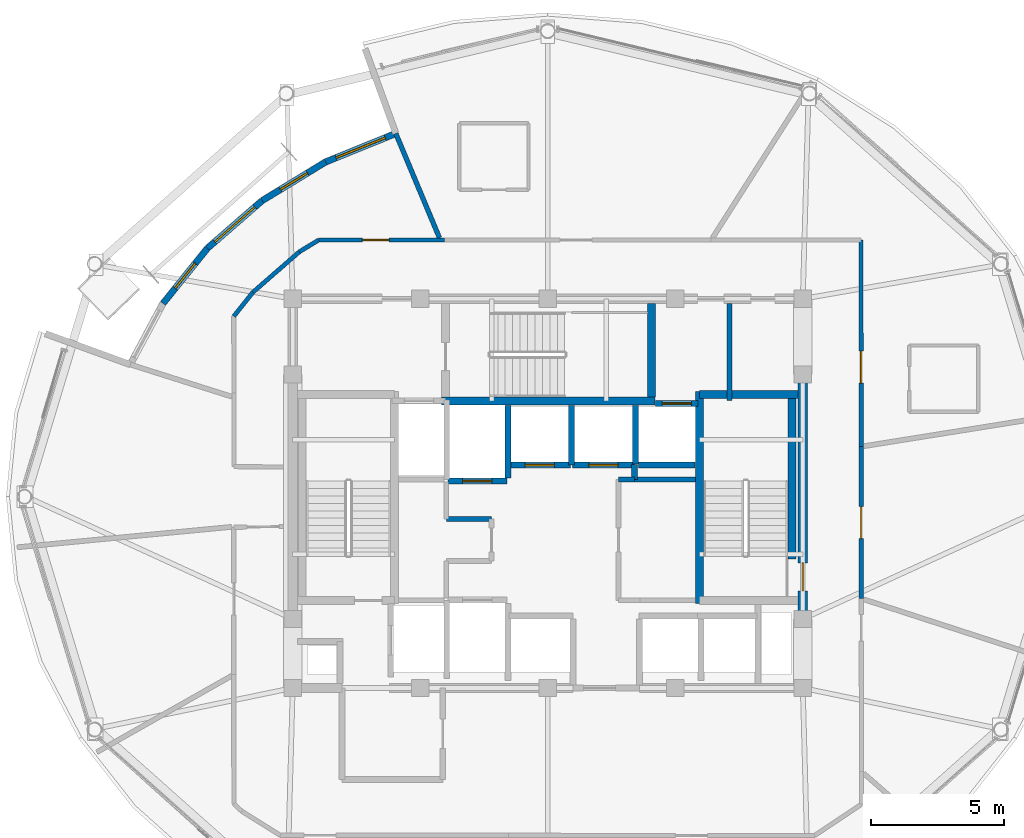
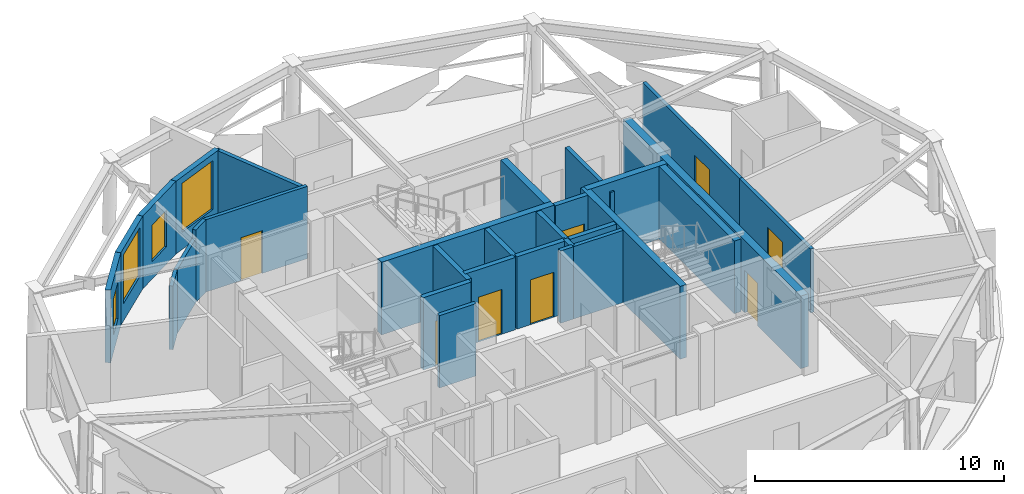
# One storey, part 9 of 14: 30 walls, 8 doors, 4 windows, 12 openings.
"""IFC4 building model written with IfcOpenShell, lengths in metres."""

import ifcopenshell
import ifcopenshell.guid

model = None  # the IFC model being written
_history = None  # IfcOwnerHistory: only IFC2X3 demands one
_inside = {}  # id of a spatial element -> (the spatial element, [elements in it])
_under = {}  # id of a project, library or spatial element -> (it, [spatial elements below it])
_declared = {}  # id of a project -> (the project, [libraries it declares])
_typed = {}  # id of a type object -> (the type object, [elements of that type])
_made_of = {}  # id of a material, layer set ... -> (it, [elements and type objects made of it])


def new_model(schema):
    """Start an empty IFC model of exactly this schema.

    Asked for "IFC4X3", IfcOpenShell would pick the latest addendum, in which some entities
    have other attributes; the version numbers below select the first issue.
    IFC2X3 requires an IfcOwnerHistory on every rooted entity: one is made here for all.
    """
    global model, _history
    if schema == "IFC4X3":
        model = ifcopenshell.file(schema_version=(4, 3, 0, 0))
    else:
        model = ifcopenshell.file(schema=schema)
    _inside.clear()
    _under.clear()
    _declared.clear()
    _typed.clear()
    _made_of.clear()
    _history = None
    if model.schema == "IFC2X3":
        org = make("IfcOrganization", Name="unknown")
        user = make(
            "IfcPersonAndOrganization",
            ThePerson=make("IfcPerson", FamilyName="unknown"),
            TheOrganization=org,
        )
        app = make(
            "IfcApplication",
            ApplicationDeveloper=org,
            Version="unknown",
            ApplicationFullName="unknown",
            ApplicationIdentifier="unknown",
        )
        _history = make(
            "IfcOwnerHistory",
            OwningUser=user,
            OwningApplication=app,
            ChangeAction="ADDED",
            CreationDate=0,
        )
    return model


def make(cls, **values):
    """One entity of the class cls with the attributes given. An attribute that is None is left unset."""
    return model.create_entity(
        cls, **{name: value for name, value in values.items() if value is not None}
    )


def rooted(cls, **values):
    """An entity with a GlobalId (a new one), such as an element, a storey or a relation."""
    return make(cls, GlobalId=ifcopenshell.guid.new(), OwnerHistory=_history, **values)


def si_unit(unit_type, name, prefix=None):
    """IfcSIUnit, for example si_unit("LENGTHUNIT", "METRE", prefix="MILLI")."""
    return make("IfcSIUnit", UnitType=unit_type, Prefix=prefix, Name=name)


def assignment(units):
    """IfcUnitAssignment: the units of a project."""
    return None if units is None else make("IfcUnitAssignment", Units=units)


def point(xyz):
    """IfcCartesianPoint."""
    return None if xyz is None else make("IfcCartesianPoint", Coordinates=xyz)


def direction(xyz):
    """IfcDirection."""
    return None if xyz is None else make("IfcDirection", DirectionRatios=xyz)


def frame(location, z_axis=None, x_axis=None):
    """IfcAxis2Placement3D, a coordinate frame: its origin and axes. An axis left out is left unset."""
    return make(
        "IfcAxis2Placement3D",
        Location=point(location),
        Axis=direction(z_axis),
        RefDirection=direction(x_axis),
    )


def frame_2d(location, x_axis=None):
    """IfcAxis2Placement2D, a coordinate frame in the plane: its origin and x axis."""
    return make(
        "IfcAxis2Placement2D", Location=point(location), RefDirection=direction(x_axis)
    )


def origin():
    """The frame at (0, 0, 0) with its axes left unset."""
    return frame((0.0, 0.0, 0.0))


def place(relative_to, where):
    """IfcLocalPlacement: puts the frame where relative to a parent placement (None: the world)."""
    return make(
        "IfcLocalPlacement", PlacementRelTo=relative_to, RelativePlacement=where
    )


def context(
    kind, dimensions, precision=None, world=None, true_north=None, identifier=None
):
    """IfcGeometricRepresentationContext, for example the 3D "Model" context."""
    return make(
        "IfcGeometricRepresentationContext",
        ContextIdentifier=identifier,
        ContextType=kind,
        CoordinateSpaceDimension=dimensions,
        Precision=precision,
        WorldCoordinateSystem=world,
        TrueNorth=true_north,
    )


def subcontext(parent, identifier, kind, view, scale=None):
    """IfcGeometricRepresentationSubContext, for example "Body" below "Model"."""
    return make(
        "IfcGeometricRepresentationSubContext",
        ContextIdentifier=identifier,
        ContextType=kind,
        ParentContext=parent,
        TargetScale=scale,
        TargetView=view,
    )


def project(units=None, contexts=None):
    """IfcProject with its units and contexts."""
    return rooted(
        "IfcProject",
        Name="project",
        RepresentationContexts=contexts,
        UnitsInContext=assignment(units),
    )


def spatial(cls, under=None, at=None, **own):
    """A site, building, storey or space (cls), placed at a placement, below another one or the project."""
    s = rooted(cls, ObjectPlacement=at, **own)
    if under is not None:
        _under.setdefault(under.id(), (under, []))[1].append(s)
    return s


def profile(cls, at=None, kind="AREA", **sizes):
    """A parametric profile (cls). Its sizes go by their IFC names, for example OverallWidth=200.0."""
    return make(cls, ProfileType=kind, Position=at, **sizes)


def rectangle(**sizes):
    """IfcRectangleProfileDef."""
    return profile("IfcRectangleProfileDef", **sizes)


def extrude(swept, where, along, depth):
    """IfcExtrudedAreaSolid: the profile swept, set in the frame where, extruded along a direction by depth."""
    return make(
        "IfcExtrudedAreaSolid",
        SweptArea=swept,
        Position=where,
        ExtrudedDirection=direction(along),
        Depth=depth,
    )


def shape(context_of_items, identifier, shape_type, items):
    """IfcShapeRepresentation: the items that make up one representation, for example the "Body"."""
    return make(
        "IfcShapeRepresentation",
        ContextOfItems=context_of_items,
        RepresentationIdentifier=identifier,
        RepresentationType=shape_type,
        Items=items,
    )


def material(Name=None, Category=None):
    """IfcMaterial."""
    return make("IfcMaterial", Name=Name, Category=Category)


def layer(
    of_material, thickness, ventilated=None, Name=None, Category=None, Priority=None
):
    """IfcMaterialLayer: one layer of a wall or slab, of a material (None: an air gap)."""
    return make(
        "IfcMaterialLayer",
        Material=of_material,
        LayerThickness=thickness,
        IsVentilated=ventilated,
        Name=Name,
        Category=Category,
        Priority=Priority,
    )


def layer_set(layers, Name=None):
    """IfcMaterialLayerSet."""
    return make("IfcMaterialLayerSet", MaterialLayers=layers, LayerSetName=Name)


def made_of(thing, what):
    """Note that an element or type object is made of a material, layer set ...; save() writes the relation."""
    if what is not None:
        _made_of.setdefault(what.id(), (what, []))[1].append(thing)
    return thing


def type_object(cls, material=None, **own):
    """A type object (cls), such as IfcWallType, which elements share."""
    return made_of(rooted(cls, **own), material)


def element(
    cls,
    number,
    at=None,
    inside=None,
    cuts=None,
    type_object=None,
    material=None,
    context=None,
    identifier="Body",
    shape_type=None,
    held_by="IfcProductDefinitionShape",
    body=None,
    shapes=None,
    **own,
):
    """One element of the class cls, such as IfcWall. Its Tag is "e" and its number.

    at: its placement. inside: the storey or other place that contains it. cuts: it is an
    opening in that element (IfcRelVoidsElement). A single representation is given by context,
    identifier, shape_type and body (its items); several are given by shapes. held_by: the class
    of the entity that holds the representations. save() writes the other relations.
    """
    e = rooted(cls, Tag="e%d" % number, ObjectPlacement=at, **own)
    if body is not None:
        shapes = [shape(context, identifier, shape_type, body)]
    if shapes is not None:
        e.Representation = make(held_by, Representations=shapes)
    if inside is not None:
        _inside.setdefault(inside.id(), (inside, []))[1].append(e)
    if cuts is not None:
        rooted(
            "IfcRelVoidsElement", RelatingBuildingElement=cuts, RelatedOpeningElement=e
        )
    if type_object is not None:
        _typed.setdefault(type_object.id(), (type_object, []))[1].append(e)
    return made_of(e, material)


def fill(opening, filler):
    """IfcRelFillsElement: the door or window that sits in an opening."""
    return rooted(
        "IfcRelFillsElement",
        RelatingOpeningElement=opening,
        RelatedBuildingElement=filler,
    )


def aggregate(whole, parts):
    """IfcRelAggregates: a whole, such as a stair, and the parts it consists of."""
    return rooted("IfcRelAggregates", RelatingObject=whole, RelatedObjects=parts)


def save(model, path):
    """Write the relations noted so far, then the file.

    IfcRelAggregates (storeys below a building ...), IfcRelContainedInSpatialStructure (elements
    in a storey), IfcRelDefinesByType, IfcRelAssociatesMaterial and IfcRelDeclares: one each for
    every whole, place, type object, material and project.
    """
    for whole, parts in _under.values():
        aggregate(whole, parts)
    for where, things in _inside.values():
        rooted(
            "IfcRelContainedInSpatialStructure",
            RelatedElements=things,
            RelatingStructure=where,
        )
    for kind, things in _typed.values():
        rooted("IfcRelDefinesByType", RelatedObjects=things, RelatingType=kind)
    for what, things in _made_of.values():
        rooted("IfcRelAssociatesMaterial", RelatedObjects=things, RelatingMaterial=what)
    for by, libraries in _declared.values():
        rooted("IfcRelDeclares", RelatingContext=by, RelatedDefinitions=libraries)
    model.write(path)


model = new_model("IFC4")

# Units and contexts
model_context = context("Model", 3, precision=1e-05, world=origin(), true_north=direction((0.0, 1.0)))
body_context = subcontext(model_context, "Body", "Model", "MODEL_VIEW")
ifc_project = project(units=[si_unit("LENGTHUNIT", "METRE"), si_unit("AREAUNIT", "SQUARE_METRE"), si_unit("VOLUMEUNIT", "CUBIC_METRE"), si_unit("PLANEANGLEUNIT", "RADIAN"), si_unit("MASSUNIT", "GRAM", prefix="KILO")], contexts=[model_context])

# Site, building, storey
site_placement = place(None, origin())
site = spatial("IfcSite", under=ifc_project, at=site_placement, CompositionType="ELEMENT")
building_placement = place(site_placement, origin())
building = spatial("IfcBuilding", under=site, at=building_placement, Name="Vantalir Tower", CompositionType="ELEMENT")
storey_placement = place(building_placement, frame((0.0, 0.0, 271.35009765625)))
storey = spatial("IfcBuildingStorey", under=building, at=storey_placement, Name="L68", CompositionType="ELEMENT", Elevation=271.35009765625)

# Wall, opening, door
ifc_material_1 = material(Name="Concrete C50/60", Category="concrete")
ifc_layer_1 = layer(ifc_material_1, 0.35009765625)
ifc_layer_set_1 = layer_set([ifc_layer_1], Name="Concrete C50/60")
wall_type_1 = type_object("IfcWallType", Name="WL-CORE-350", PredefinedType="SHEAR", material=ifc_layer_set_1)
wall_1_placement = place(storey_placement, frame((41.10009765625, 17.97509765625, 0.0), z_axis=(0.0, 0.0, 1.0), x_axis=(0.0, 1.0, 0.0)))
wall_1 = element("IfcWall", 1, at=wall_1_placement, inside=storey, type_object=wall_type_1, Name="L68 Core Shear Wall East", PredefinedType="SHEAR", context=body_context, shape_type="SweptSolid", body=[
    extrude(rectangle(XDim=14.2998046875, YDim=0.35009765625, at=frame_2d((7.14990234375, 0.0))), origin(), (0.0, 0.0, 1.0), 3.56982421875),
])
opening_1_placement = place(wall_1_placement, frame((3.485107421875, 0.0, 0.0)))
opening_1 = element("IfcOpeningElement", 2, at=opening_1_placement, cuts=wall_1, Name="Opening D-ST", PredefinedType="OPENING", context=body_context, shape_type="SweptSolid", body=[
    extrude(rectangle(XDim=1.050048828125, YDim=2.10009765625, at=frame_2d((0.52490234375, 1.050048828125))), frame((0.0, 0.18505859375, 0.0), z_axis=(0.0, -1.0, 0.0), x_axis=(1.0, 0.0, 0.0)), (0.0, 0.0, 1.0), 0.3701171875),
])
ifc_material_2 = material(Name="Fire-rated steel door leaf", Category="steel")
door_type_1 = type_object("IfcDoorType", Name="DR-FIRE-STAIR-1050", OperationType="NOTDEFINED", PredefinedType="DOOR", material=ifc_material_2)
door_1_placement = place(opening_1_placement, origin())
door_1 = element("IfcDoor", 3, at=door_1_placement, inside=storey, type_object=door_type_1, Name="L68 Exit Stair ST2 Fire Door", OperationType="SINGLE_SWING_LEFT", OverallHeight=2.10009765625, OverallWidth=1.050048828125, PredefinedType="DOOR", context=body_context, shape_type="SweptSolid", body=[
    extrude(rectangle(XDim=1.050048828125, YDim=2.10009765625, at=frame_2d((0.52490234375, 1.050048828125))), frame((0.0, 0.02490234375, 0.0), z_axis=(0.0, -1.0, 0.0), x_axis=(1.0, 0.0, 0.0)), (0.0, 0.0, 1.0), 0.050048828125),
])
fill(opening_1, door_1)

# Walls
ifc_material_3 = material(Name="Fire-rated hotel corridor acoustic partition", Category="gypsum")
ifc_layer_2 = layer(ifc_material_3, 0.159912109375)
ifc_layer_set_2 = layer_set([ifc_layer_2], Name="Fire-rated hotel corridor acoustic partition")
wall_type_2 = type_object("IfcWallType", Name="WL-CORR-160", PredefinedType="PARTITIONING", material=ifc_layer_set_2)
wall_2_placement = place(storey_placement, frame((19.68505859375, 31.7939453125, 0.0), z_axis=(0.0, 0.0, 1.0), x_axis=(0.622450012277, 0.782659557033, 0.0)))
element("IfcWall", 4, at=wall_2_placement, inside=storey, type_object=wall_type_2, Name="L68 Corridor Partition 04", PredefinedType="PARTITIONING", context=body_context, shape_type="SweptSolid", body=[
    extrude(rectangle(XDim=1.155029296875, YDim=0.159912109375, at=frame_2d((0.57763671875, 0.0))), origin(), (0.0, 0.0, 1.0), 3.1318359375),
])
wall_3_placement = place(storey_placement, frame((20.404052734375, 32.697998046875, 0.0), z_axis=(0.0, 0.0, 1.0), x_axis=(0.753965421059, 0.656914106902, 0.0)))
element("IfcWall", 5, at=wall_3_placement, inside=storey, type_object=wall_type_2, Name="L68 Corridor Partition 05", PredefinedType="PARTITIONING", context=body_context, shape_type="SweptSolid", body=[
    extrude(rectangle(XDim=2.31689453125, YDim=0.159912109375, at=frame_2d((1.158447265625, 0.0))), origin(), (0.0, 0.0, 1.0), 3.1318359375),
])
wall_4_placement = place(storey_placement, frame((22.15087890625, 34.219970703125, 0.0), z_axis=(0.0, 0.0, 1.0), x_axis=(0.854414553901, 0.519591926499, 0.0)))
element("IfcWall", 6, at=wall_4_placement, inside=storey, type_object=wall_type_2, Name="L68 Corridor Partition 06", PredefinedType="PARTITIONING", context=body_context, shape_type="SweptSolid", body=[
    extrude(rectangle(XDim=0.850830078125, YDim=0.159912109375, at=frame_2d((0.42529296875, 0.0))), origin(), (0.0, 0.0, 1.0), 3.5498046875),
])

# Wall, opening, door
wall_5_placement = place(storey_placement, frame((22.8779296875, 34.662109375, 0.0), z_axis=(0.0, 0.0, 1.0), x_axis=(1.0, 0.0, 0.0)))
wall_5 = element("IfcWall", 7, at=wall_5_placement, inside=storey, type_object=wall_type_2, Name="L68 Corridor Partition 07", PredefinedType="PARTITIONING", context=body_context, shape_type="SweptSolid", body=[
    extrude(rectangle(XDim=4.744140625, YDim=0.159912109375, at=frame_2d((2.3720703125, 0.0))), origin(), (0.0, 0.0, 1.0), 3.5498046875),
])
opening_2_placement = place(wall_5_placement, frame((1.64892578125, 0.0, 0.0)))
opening_2 = element("IfcOpeningElement", 8, at=opening_2_placement, cuts=wall_5, Name="Opening D-GUEST", PredefinedType="OPENING", context=body_context, shape_type="SweptSolid", body=[
    extrude(rectangle(XDim=1.0, YDim=2.10009765625, at=frame_2d((0.5, 1.050048828125))), frame((0.0, 0.08984375, 0.0), z_axis=(0.0, -1.0, 0.0), x_axis=(1.0, 0.0, 0.0)), (0.0, 0.0, 1.0), 0.179931640625),
])
ifc_material_4 = material(Name="Solid-core teak veneer acoustic fire door", Category="wood")
door_type_2 = type_object("IfcDoorType", Name="DR-GUEST-ENTRY-1000", OperationType="NOTDEFINED", PredefinedType="DOOR", material=ifc_material_4)
door_2_placement = place(opening_2_placement, origin())
door_2 = element("IfcDoor", 9, at=door_2_placement, inside=storey, type_object=door_type_2, Name="L68 Sky Garden Conservatory Lounge 03 Door", OperationType="SINGLE_SWING_RIGHT", OverallHeight=2.10009765625, OverallWidth=1.0, PredefinedType="DOOR", context=body_context, shape_type="SweptSolid", body=[
    extrude(rectangle(XDim=1.0, YDim=2.10009765625, at=frame_2d((0.5, 1.050048828125))), frame((0.0, 0.02490234375, 0.0), z_axis=(0.0, -1.0, 0.0), x_axis=(1.0, 0.0, 0.0)), (0.0, 0.0, 1.0), 0.050048828125),
])
fill(opening_2, door_2)

wall_6_placement = place(storey_placement, frame((43.2939453125, 34.659912109375, 0.0), z_axis=(0.0, 0.0, 1.0), x_axis=(0.000659506169, -0.999999782526, 0.0)))
wall_6 = element("IfcWall", 10, at=wall_6_placement, inside=storey, type_object=wall_type_2, Name="L68 Corridor Partition 10", PredefinedType="PARTITIONING", context=body_context, shape_type="SweptSolid", body=[
    extrude(rectangle(XDim=7.77392578125, YDim=0.159912109375, at=frame_2d((3.886962890625, 0.0))), origin(), (0.0, 0.0, 1.0), 3.1318359375),
])
opening_3_placement = place(wall_6_placement, frame((4.179931640625, 0.0, 0.0)))
opening_3 = element("IfcOpeningElement", 11, at=opening_3_placement, cuts=wall_6, Name="Opening D-STE", PredefinedType="OPENING", context=body_context, shape_type="SweptSolid", body=[
    extrude(rectangle(XDim=1.199951171875, YDim=2.10009765625, at=frame_2d((0.60009765625, 1.050048828125))), frame((0.0, 0.08984375, 0.0), z_axis=(0.0, -1.0, 0.0), x_axis=(1.0, 0.0, 0.0)), (0.0, 0.0, 1.0), 0.179931640625),
])
ifc_material_5 = material(Name="Solid-core teak veneer suite entrance door", Category="wood")
door_type_3 = type_object("IfcDoorType", Name="DR-SUITE-ENTRY-1200", OperationType="NOTDEFINED", PredefinedType="DOOR", material=ifc_material_5)
door_3_placement = place(opening_3_placement, origin())
door_3 = element("IfcDoor", 12, at=door_3_placement, inside=storey, type_object=door_type_3, Name="L68 Corner Panorama Hotel Suite 01 Door", OperationType="SINGLE_SWING_RIGHT", OverallHeight=2.10009765625, OverallWidth=1.199951171875, PredefinedType="DOOR", context=body_context, shape_type="SweptSolid", body=[
    extrude(rectangle(XDim=1.199951171875, YDim=2.10009765625, at=frame_2d((0.60009765625, 1.050048828125))), frame((0.0, 0.02490234375, 0.0), z_axis=(0.0, -1.0, 0.0), x_axis=(1.0, 0.0, 0.0)), (0.0, 0.0, 1.0), 0.050048828125),
])
fill(opening_3, door_3)

wall_7_placement = place(storey_placement, frame((43.299072265625, 26.885986328125, 0.0), z_axis=(0.0, 0.0, 1.0), x_axis=(0.000683147443, -0.999999766655, 0.0)))
wall_7 = element("IfcWall", 13, at=wall_7_placement, inside=storey, type_object=wall_type_2, Name="L68 Corridor Partition 11", PredefinedType="PARTITIONING", context=body_context, shape_type="SweptSolid", body=[
    extrude(rectangle(XDim=5.718017578125, YDim=0.159912109375, at=frame_2d((2.85888671875, 0.0))), origin(), (0.0, 0.0, 1.0), 3.1318359375),
])
opening_4_placement = place(wall_7_placement, frame((2.259033203125, 0.0, 0.0)))
opening_4 = element("IfcOpeningElement", 14, at=opening_4_placement, cuts=wall_7, Name="Opening D-STE", PredefinedType="OPENING", context=body_context, shape_type="SweptSolid", body=[
    extrude(rectangle(XDim=1.199951171875, YDim=2.10009765625, at=frame_2d((0.60009765625, 1.050048828125))), frame((0.0, 0.08984375, 0.0), z_axis=(0.0, -1.0, 0.0), x_axis=(1.0, 0.0, 0.0)), (0.0, 0.0, 1.0), 0.179931640625),
])
door_4_placement = place(opening_4_placement, origin())
door_4 = element("IfcDoor", 15, at=door_4_placement, inside=storey, type_object=door_type_3, Name="L68 Club Reading Lounge 09 Door", OperationType="SINGLE_SWING_RIGHT", OverallHeight=2.10009765625, OverallWidth=1.199951171875, PredefinedType="DOOR", context=body_context, shape_type="SweptSolid", body=[
    extrude(rectangle(XDim=1.199951171875, YDim=2.10009765625, at=frame_2d((0.60009765625, 1.050048828125))), frame((0.0, 0.02490234375, 0.0), z_axis=(0.0, -1.0, 0.0), x_axis=(1.0, 0.0, 0.0)), (0.0, 0.0, 1.0), 0.050048828125),
])
fill(opening_4, door_4)

# Wall, opening, window
ifc_material_6 = material(Name="Precast concrete C40/50 insulated sky-garden wall", Category="concrete")
ifc_layer_3 = layer(ifc_material_6, 0.239990234375)
ifc_layer_set_3 = layer_set([ifc_layer_3], Name="Precast concrete C40/50 insulated sky-garden wall")
wall_type_3 = type_object("IfcWallType", Name="WL-EXT-SG-240", PredefinedType="SOLIDWALL", material=ifc_layer_set_3)
wall_8_placement = place(storey_placement, frame((25.781005859375, 38.672119140625, 0.0), z_axis=(0.0, 0.0, 1.0), x_axis=(-0.926580401984, -0.37609674109, 0.0)))
wall_8 = element("IfcWall", 16, at=wall_8_placement, inside=storey, type_object=wall_type_3, Name="L68 SG4 Sky-Garden Lounge Wall 1", PredefinedType="SOLIDWALL", context=body_context, shape_type="SweptSolid", body=[
    extrude(rectangle(XDim=2.850341796875, YDim=0.239990234375, at=frame_2d((1.42529296875, 0.0))), origin(), (0.0, 0.0, 1.0), 3.56982421875),
])
opening_5_placement = place(wall_8_placement, frame((0.425048828125, 0.0, 0.85009765625)))
opening_5 = element("IfcOpeningElement", 17, at=opening_5_placement, cuts=wall_8, Name="Opening WN-3", PredefinedType="OPENING", context=body_context, shape_type="SweptSolid", body=[
    extrude(rectangle(XDim=2.0, YDim=2.39990234375, at=frame_2d((1.0, 1.199951171875))), frame((0.0, 0.1298828125, 0.0), z_axis=(0.0, -1.0, 0.0), x_axis=(1.0, 0.0, 0.0)), (0.0, 0.0, 1.0), 0.260009765625),
])
ifc_material_7 = material(Name="Double-silver Low-E sky-garden lounge window", Category="glass")
window_type_1 = type_object("IfcWindowType", Name="WIN-SG-2000x2400", PartitioningType="SINGLE_PANEL", PredefinedType="WINDOW", material=ifc_material_7)
window_1_placement = place(opening_5_placement, origin())
window_1 = element("IfcWindow", 18, at=window_1_placement, inside=storey, type_object=window_type_1, Name="L68 SG4 Sky-Garden Window 1", OverallHeight=2.39990234375, OverallWidth=2.0, PartitioningType="SINGLE_PANEL", PredefinedType="WINDOW", context=body_context, shape_type="SweptSolid", body=[
    extrude(rectangle(XDim=2.0, YDim=2.39990234375, at=frame_2d((1.0, 1.199951171875))), frame((0.0, 0.030029296875, 0.0), z_axis=(0.0, -1.0, 0.0), x_axis=(1.0, 0.0, 0.0)), (0.0, 0.0, 1.0), 0.06005859375),
])
fill(opening_5, window_1)

wall_9_placement = place(storey_placement, frame((23.139892578125, 37.60009765625, 0.0), z_axis=(0.0, 0.0, 1.0), x_axis=(-0.853857712161, -0.520506491202, 0.0)))
wall_9 = element("IfcWall", 19, at=wall_9_placement, inside=storey, type_object=wall_type_3, Name="L68 SG4 Sky-Garden Lounge Wall 2", PredefinedType="SOLIDWALL", context=body_context, shape_type="SweptSolid", body=[
    extrude(rectangle(XDim=2.79541015625, YDim=0.239990234375, at=frame_2d((1.397705078125, 0.0))), origin(), (0.0, 0.0, 1.0), 3.56982421875),
])
opening_6_placement = place(wall_9_placement, frame((0.798095703125, 0.0, 0.85009765625)))
opening_6 = element("IfcOpeningElement", 20, at=opening_6_placement, cuts=wall_9, Name="Opening WN-4", PredefinedType="OPENING", context=body_context, shape_type="SweptSolid", body=[
    extrude(rectangle(XDim=1.199951171875, YDim=1.800048828125, at=frame_2d((0.60009765625, 0.89990234375))), frame((0.0, 0.1298828125, 0.0), z_axis=(0.0, -1.0, 0.0), x_axis=(1.0, 0.0, 0.0)), (0.0, 0.0, 1.0), 0.260009765625),
])
ifc_material_8 = material(Name="Operable smoke-vent Low-E window", Category="glass")
window_type_2 = type_object("IfcWindowType", Name="WIN-SG-1200x1800", PartitioningType="SINGLE_PANEL", PredefinedType="WINDOW", material=ifc_material_8)
window_2_placement = place(opening_6_placement, origin())
window_2 = element("IfcWindow", 21, at=window_2_placement, inside=storey, type_object=window_type_2, Name="L68 SG4 Sky-Garden Window 2", OverallHeight=1.800048828125, OverallWidth=1.199951171875, PartitioningType="SINGLE_PANEL", PredefinedType="WINDOW", context=body_context, shape_type="SweptSolid", body=[
    extrude(rectangle(XDim=1.199951171875, YDim=1.800048828125, at=frame_2d((0.60009765625, 0.89990234375))), frame((0.0, 0.030029296875, 0.0), z_axis=(0.0, -1.0, 0.0), x_axis=(1.0, 0.0, 0.0)), (0.0, 0.0, 1.0), 0.06005859375),
])
fill(opening_6, window_2)

wall_10_placement = place(storey_placement, frame((20.7529296875, 36.14501953125, 0.0), z_axis=(0.0, 0.0, 1.0), x_axis=(-0.754466976039, -0.656338009006, 0.0)))
wall_10 = element("IfcWall", 22, at=wall_10_placement, inside=storey, type_object=wall_type_3, Name="L68 SG4 Sky-Garden Lounge Wall 3", PredefinedType="SOLIDWALL", context=body_context, shape_type="SweptSolid", body=[
    extrude(rectangle(XDim=2.731689453125, YDim=0.239990234375, at=frame_2d((1.36572265625, 0.0))), origin(), (0.0, 0.0, 1.0), 3.56982421875),
])
opening_7_placement = place(wall_10_placement, frame((0.365966796875, 0.0, 0.85009765625)))
opening_7 = element("IfcOpeningElement", 23, at=opening_7_placement, cuts=wall_10, Name="Opening WN-3", PredefinedType="OPENING", context=body_context, shape_type="SweptSolid", body=[
    extrude(rectangle(XDim=2.0, YDim=2.39990234375, at=frame_2d((1.0, 1.199951171875))), frame((0.0, 0.1298828125, 0.0), z_axis=(0.0, -1.0, 0.0), x_axis=(1.0, 0.0, 0.0)), (0.0, 0.0, 1.0), 0.260009765625),
])
window_3_placement = place(opening_7_placement, origin())
window_3 = element("IfcWindow", 24, at=window_3_placement, inside=storey, type_object=window_type_1, Name="L68 SG4 Sky-Garden Window 3", OverallHeight=2.39990234375, OverallWidth=2.0, PartitioningType="SINGLE_PANEL", PredefinedType="WINDOW", context=body_context, shape_type="SweptSolid", body=[
    extrude(rectangle(XDim=2.0, YDim=2.39990234375, at=frame_2d((1.0, 1.199951171875))), frame((0.0, 0.030029296875, 0.0), z_axis=(0.0, -1.0, 0.0), x_axis=(1.0, 0.0, 0.0)), (0.0, 0.0, 1.0), 0.06005859375),
])
fill(opening_7, window_3)

wall_11_placement = place(storey_placement, frame((18.69189453125, 34.35205078125, 0.0), z_axis=(0.0, 0.0, 1.0), x_axis=(-0.626835967665, -0.779151249528, 0.0)))
wall_11 = element("IfcWall", 25, at=wall_11_placement, inside=storey, type_object=wall_type_3, Name="L68 SG4 Sky-Garden Lounge Wall 4", PredefinedType="SOLIDWALL", context=body_context, shape_type="SweptSolid", body=[
    extrude(rectangle(XDim=2.667236328125, YDim=0.239990234375, at=frame_2d((1.33349609375, 0.0))), origin(), (0.0, 0.0, 1.0), 3.56982421875),
])
opening_8_placement = place(wall_11_placement, frame((0.73388671875, 0.0, 0.85009765625)))
opening_8 = element("IfcOpeningElement", 26, at=opening_8_placement, cuts=wall_11, Name="Opening WN-4", PredefinedType="OPENING", context=body_context, shape_type="SweptSolid", body=[
    extrude(rectangle(XDim=1.199951171875, YDim=1.800048828125, at=frame_2d((0.60009765625, 0.89990234375))), frame((0.0, 0.1298828125, 0.0), z_axis=(0.0, -1.0, 0.0), x_axis=(1.0, 0.0, 0.0)), (0.0, 0.0, 1.0), 0.260009765625),
])
window_4_placement = place(opening_8_placement, origin())
window_4 = element("IfcWindow", 27, at=window_4_placement, inside=storey, type_object=window_type_2, Name="L68 SG4 Sky-Garden Window 4", OverallHeight=1.800048828125, OverallWidth=1.199951171875, PartitioningType="SINGLE_PANEL", PredefinedType="WINDOW", context=body_context, shape_type="SweptSolid", body=[
    extrude(rectangle(XDim=1.199951171875, YDim=1.800048828125, at=frame_2d((0.60009765625, 0.89990234375))), frame((0.0, 0.030029296875, 0.0), z_axis=(0.0, -1.0, 0.0), x_axis=(1.0, 0.0, 0.0)), (0.0, 0.0, 1.0), 0.06005859375),
])
fill(opening_8, window_4)

# Walls
ifc_material_9 = material(Name="Concrete blockwork with fireboard lining", Category="masonry")
ifc_layer_4 = layer(ifc_material_9, 0.219970703125)
ifc_layer_set_4 = layer_set([ifc_layer_4], Name="Concrete blockwork with fireboard lining")
wall_type_4 = type_object("IfcWallType", Name="WL-FFL-220", PredefinedType="PARTITIONING", material=ifc_layer_set_4)
wall_12_placement = place(storey_placement, frame((30.0, 25.7099609375, 0.0), z_axis=(0.0, 0.0, 1.0), x_axis=(0.0, 1.0, 0.0)))
element("IfcWall", 28, at=wall_12_placement, inside=storey, type_object=wall_type_4, Name="L68 Service Lift SV2 East Shaft Wall", PredefinedType="PARTITIONING", context=body_context, shape_type="SweptSolid", body=[
    extrude(rectangle(XDim=2.72998046875, YDim=0.219970703125, at=frame_2d((1.364990234375, 0.0))), origin(), (0.0, 0.0, 1.0), 3.544921875),
])
wall_13_placement = place(storey_placement, frame((32.39990234375, 26.199951171875, 0.0), z_axis=(0.0, 0.0, 1.0), x_axis=(0.0, 1.0, 0.0)))
element("IfcWall", 29, at=wall_13_placement, inside=storey, type_object=wall_type_4, Name="L68 High-Rise Lift PL-H1/H2 Shaft Divider", PredefinedType="PARTITIONING", context=body_context, shape_type="SweptSolid", body=[
    extrude(rectangle(XDim=2.239990234375, YDim=0.219970703125, at=frame_2d((1.1201171875, 0.0))), origin(), (0.0, 0.0, 1.0), 3.544921875),
])
wall_14_placement = place(storey_placement, frame((34.800048828125, 26.22998046875, 0.0), z_axis=(0.0, 0.0, 1.0), x_axis=(0.0, 1.0, 0.0)))
element("IfcWall", 30, at=wall_14_placement, inside=storey, type_object=wall_type_4, Name="L68 High-Rise Lift PL-H2/H3 Shaft Divider", PredefinedType="PARTITIONING", context=body_context, shape_type="SweptSolid", body=[
    extrude(rectangle(XDim=2.2099609375, YDim=0.219970703125, at=frame_2d((1.10498046875, 0.0))), origin(), (0.0, 0.0, 1.0), 3.544921875),
])
wall_15_placement = place(storey_placement, frame((34.909912109375, 26.18994140625, 0.0), z_axis=(0.0, 0.0, 1.0), x_axis=(1.0, 0.0, 0.0)))
element("IfcWall", 31, at=wall_15_placement, inside=storey, type_object=wall_type_4, Name="L68 High-Rise Lift PL-H3 Rear Shaft Wall", PredefinedType="PARTITIONING", context=body_context, shape_type="SweptSolid", body=[
    extrude(rectangle(XDim=2.14013671875, YDim=0.219970703125, at=frame_2d((1.070068359375, 0.0))), origin(), (0.0, 0.0, 1.0), 3.544921875),
])

# Wall, opening, door
wall_16_placement = place(storey_placement, frame((27.739990234375, 25.590087890625, 0.0), z_axis=(0.0, 0.0, 1.0), x_axis=(1.0, 0.0, 0.0)))
wall_16 = element("IfcWall", 32, at=wall_16_placement, inside=storey, type_object=wall_type_4, Name="L68 Lift SV2 Shaft Front Wall", PredefinedType="PARTITIONING", context=body_context, shape_type="SweptSolid", body=[
    extrude(rectangle(XDim=2.219970703125, YDim=0.219970703125, at=frame_2d((1.10986328125, 0.0))), origin(), (0.0, 0.0, 1.0), 3.5498046875),
])
opening_9_placement = place(wall_16_placement, frame((0.56005859375, 0.0, 0.0)))
opening_9 = element("IfcOpeningElement", 33, at=opening_9_placement, cuts=wall_16, Name="Opening LD-SV2", PredefinedType="OPENING", context=body_context, shape_type="SweptSolid", body=[
    extrude(rectangle(XDim=1.10009765625, YDim=2.199951171875, at=frame_2d((0.550048828125, 1.10009765625))), frame((0.0, 0.119873046875, 0.0), z_axis=(0.0, -1.0, 0.0), x_axis=(1.0, 0.0, 0.0)), (0.0, 0.0, 1.0), 0.239990234375),
])
ifc_material_10 = material(Name="Brushed stainless-steel sliding lift landing door", Category="steel")
door_type_4 = type_object("IfcDoorType", Name="DR-LIFT-LANDING-1100", OperationType="DOUBLE_DOOR_SLIDING", PredefinedType="DOOR", material=ifc_material_10)
door_5_placement = place(opening_9_placement, frame((1.10009765625, 0.0, 0.0), z_axis=(0.0, 0.0, 1.0), x_axis=(-1.0, 0.0, 0.0)))
door_5 = element("IfcDoor", 34, at=door_5_placement, inside=storey, type_object=door_type_4, Name="L68 Lift Landing Door SV2", OperationType="DOUBLE_DOOR_SLIDING", OverallHeight=2.199951171875, OverallWidth=1.10009765625, PredefinedType="DOOR", context=body_context, shape_type="SweptSolid", body=[
    extrude(rectangle(XDim=1.10009765625, YDim=2.199951171875, at=frame_2d((0.550048828125, 1.10009765625))), frame((0.0, 0.02490234375, 0.0), z_axis=(0.0, -1.0, 0.0), x_axis=(1.0, 0.0, 0.0)), (0.0, 0.0, 1.0), 0.050048828125),
])
fill(opening_9, door_5)

wall_17_placement = place(storey_placement, frame((30.0400390625, 26.18994140625, 0.0), z_axis=(0.0, 0.0, 1.0), x_axis=(1.0, 0.0, 0.0)))
wall_17 = element("IfcWall", 35, at=wall_17_placement, inside=storey, type_object=wall_type_4, Name="L68 Lift PL-H1 Shaft Front Wall", PredefinedType="PARTITIONING", context=body_context, shape_type="SweptSolid", body=[
    extrude(rectangle(XDim=2.320068359375, YDim=0.219970703125, at=frame_2d((1.16015625, 0.0))), origin(), (0.0, 0.0, 1.0), 3.5498046875),
])
opening_10_placement = place(wall_17_placement, frame((0.610107421875, 0.0, 0.0)))
opening_10 = element("IfcOpeningElement", 36, at=opening_10_placement, cuts=wall_17, Name="Opening LD-PL-H1", PredefinedType="OPENING", context=body_context, shape_type="SweptSolid", body=[
    extrude(rectangle(XDim=1.10009765625, YDim=2.199951171875, at=frame_2d((0.550048828125, 1.10009765625))), frame((0.0, 0.119873046875, 0.0), z_axis=(0.0, -1.0, 0.0), x_axis=(1.0, 0.0, 0.0)), (0.0, 0.0, 1.0), 0.239990234375),
])
door_6_placement = place(opening_10_placement, frame((1.10009765625, 0.0, 0.0), z_axis=(0.0, 0.0, 1.0), x_axis=(-1.0, 0.0, 0.0)))
door_6 = element("IfcDoor", 37, at=door_6_placement, inside=storey, type_object=door_type_4, Name="L68 Lift Landing Door PL-H1", OperationType="DOUBLE_DOOR_SLIDING", OverallHeight=2.199951171875, OverallWidth=1.10009765625, PredefinedType="DOOR", context=body_context, shape_type="SweptSolid", body=[
    extrude(rectangle(XDim=1.10009765625, YDim=2.199951171875, at=frame_2d((0.550048828125, 1.10009765625))), frame((0.0, 0.02490234375, 0.0), z_axis=(0.0, -1.0, 0.0), x_axis=(1.0, 0.0, 0.0)), (0.0, 0.0, 1.0), 0.050048828125),
])
fill(opening_10, door_6)

wall_18_placement = place(storey_placement, frame((32.43994140625, 26.18994140625, 0.0), z_axis=(0.0, 0.0, 1.0), x_axis=(1.0, 0.0, 0.0)))
wall_18 = element("IfcWall", 38, at=wall_18_placement, inside=storey, type_object=wall_type_4, Name="L68 Lift PL-H2 Shaft Front Wall", PredefinedType="PARTITIONING", context=body_context, shape_type="SweptSolid", body=[
    extrude(rectangle(XDim=2.320068359375, YDim=0.219970703125, at=frame_2d((1.16015625, 0.0))), origin(), (0.0, 0.0, 1.0), 3.5498046875),
])
opening_11_placement = place(wall_18_placement, frame((0.610107421875, 0.0, 0.0)))
opening_11 = element("IfcOpeningElement", 39, at=opening_11_placement, cuts=wall_18, Name="Opening LD-PL-H2", PredefinedType="OPENING", context=body_context, shape_type="SweptSolid", body=[
    extrude(rectangle(XDim=1.10009765625, YDim=2.199951171875, at=frame_2d((0.550048828125, 1.10009765625))), frame((0.0, 0.119873046875, 0.0), z_axis=(0.0, -1.0, 0.0), x_axis=(1.0, 0.0, 0.0)), (0.0, 0.0, 1.0), 0.239990234375),
])
door_7_placement = place(opening_11_placement, frame((1.10009765625, 0.0, 0.0), z_axis=(0.0, 0.0, 1.0), x_axis=(-1.0, 0.0, 0.0)))
door_7 = element("IfcDoor", 40, at=door_7_placement, inside=storey, type_object=door_type_4, Name="L68 Lift Landing Door PL-H2", OperationType="DOUBLE_DOOR_SLIDING", OverallHeight=2.199951171875, OverallWidth=1.10009765625, PredefinedType="DOOR", context=body_context, shape_type="SweptSolid", body=[
    extrude(rectangle(XDim=1.10009765625, YDim=2.199951171875, at=frame_2d((0.550048828125, 1.10009765625))), frame((0.0, 0.02490234375, 0.0), z_axis=(0.0, -1.0, 0.0), x_axis=(1.0, 0.0, 0.0)), (0.0, 0.0, 1.0), 0.050048828125),
])
fill(opening_11, door_7)

wall_19_placement = place(storey_placement, frame((35.56005859375, 28.510009765625, 0.0), z_axis=(0.0, 0.0, 1.0), x_axis=(1.0, 0.0, 0.0)))
wall_19 = element("IfcWall", 41, at=wall_19_placement, inside=storey, type_object=wall_type_4, Name="L68 Lift PL-H3 Shaft Front Wall", PredefinedType="PARTITIONING", context=body_context, shape_type="SweptSolid", body=[
    extrude(rectangle(XDim=1.599853515625, YDim=0.219970703125, at=frame_2d((0.7998046875, 0.0))), origin(), (0.0, 0.0, 1.0), 3.5498046875),
])
opening_12_placement = place(wall_19_placement, frame((0.25, 0.0, 0.0)))
opening_12 = element("IfcOpeningElement", 42, at=opening_12_placement, cuts=wall_19, Name="Opening LD-PL-H3", PredefinedType="OPENING", context=body_context, shape_type="SweptSolid", body=[
    extrude(rectangle(XDim=1.10009765625, YDim=2.199951171875, at=frame_2d((0.550048828125, 1.10009765625))), frame((0.0, 0.119873046875, 0.0), z_axis=(0.0, -1.0, 0.0), x_axis=(1.0, 0.0, 0.0)), (0.0, 0.0, 1.0), 0.239990234375),
])
door_8_placement = place(opening_12_placement, origin())
door_8 = element("IfcDoor", 43, at=door_8_placement, inside=storey, type_object=door_type_4, Name="L68 Lift Landing Door PL-H3", OperationType="DOUBLE_DOOR_SLIDING", OverallHeight=2.199951171875, OverallWidth=1.10009765625, PredefinedType="DOOR", context=body_context, shape_type="SweptSolid", body=[
    extrude(rectangle(XDim=1.10009765625, YDim=2.199951171875, at=frame_2d((0.550048828125, 1.10009765625))), frame((0.0, 0.02490234375, 0.0), z_axis=(0.0, -1.0, 0.0), x_axis=(1.0, 0.0, 0.0)), (0.0, 0.0, 1.0), 0.050048828125),
])
fill(opening_12, door_8)

# Walls
wall_20_placement = place(storey_placement, frame((34.760009765625, 25.64990234375, 0.0), z_axis=(0.0, 0.0, 1.0), x_axis=(0.0, 1.0, 0.0)))
element("IfcWall", 44, at=wall_20_placement, inside=storey, type_object=wall_type_4, Name="L68 High-Rise Shaft Shoulder Wall", PredefinedType="PARTITIONING", context=body_context, shape_type="SweptSolid", body=[
    extrude(rectangle(XDim=0.570068359375, YDim=0.219970703125, at=frame_2d((0.28515625, 0.0))), origin(), (0.0, 0.0, 1.0), 3.5498046875),
])
ifc_material_11 = material(Name="Twin-stud acoustic fire-rated gypsum partition", Category="gypsum")
ifc_layer_5 = layer(ifc_material_11, 0.179931640625)
ifc_layer_set_5 = layer_set([ifc_layer_5], Name="Twin-stud acoustic fire-rated gypsum partition")
wall_type_5 = type_object("IfcWallType", Name="WL-GUEST-180", PredefinedType="PARTITIONING", material=ifc_layer_set_5)
wall_21_placement = place(storey_placement, frame((27.679931640625, 24.159912109375, 0.0), z_axis=(0.0, 0.0, 1.0), x_axis=(1.0, 0.0, 0.0)))
element("IfcWall", 45, at=wall_21_placement, inside=storey, type_object=wall_type_5, Name="L68 West IT Room Alcove North Wall", PredefinedType="PARTITIONING", context=body_context, shape_type="SweptSolid", body=[
    extrude(rectangle(XDim=1.699951171875, YDim=0.179931640625, at=frame_2d((0.85009765625, 0.0))), origin(), (0.0, 0.0, 1.0), 3.5498046875),
])
wall_22_placement = place(storey_placement, frame((34.719970703125, 25.64990234375, 0.0), z_axis=(0.0, 0.0, 1.0), x_axis=(1.0, 0.0, 0.0)))
element("IfcWall", 46, at=wall_22_placement, inside=storey, type_object=wall_type_5, Name="L68 Freed East Core North Wall", PredefinedType="PARTITIONING", context=body_context, shape_type="SweptSolid", body=[
    extrude(rectangle(XDim=2.340087890625, YDim=0.179931640625, at=frame_2d((1.169921875, 0.0))), origin(), (0.0, 0.0, 1.0), 3.5498046875),
])
wall_23_placement = place(storey_placement, frame((34.159912109375, 25.64990234375, 0.0), z_axis=(0.0, 0.0, 1.0), x_axis=(1.0, 0.0, 0.0)))
element("IfcWall", 47, at=wall_23_placement, inside=storey, type_object=wall_type_5, Name="L68 East IT Room North Return", PredefinedType="PARTITIONING", context=body_context, shape_type="SweptSolid", body=[
    extrude(rectangle(XDim=0.60009765625, YDim=0.179931640625, at=frame_2d((0.300048828125, 0.0))), origin(), (0.0, 0.0, 1.0), 3.5498046875),
])
wall_24_placement = place(storey_placement, frame((38.340087890625, 28.6201171875, 0.0), z_axis=(0.0, 0.0, 1.0), x_axis=(0.0, 1.0, 0.0)))
element("IfcWall", 48, at=wall_24_placement, inside=storey, type_object=wall_type_5, Name="L68 High-Rise Lift Lobby East Wall", PredefinedType="PARTITIONING", context=body_context, shape_type="SweptSolid", body=[
    extrude(rectangle(XDim=3.65478515625, YDim=0.179931640625, at=frame_2d((1.827392578125, 0.0))), origin(), (0.0, 0.0, 1.0), 3.1318359375),
])
wall_25_placement = place(storey_placement, frame((27.426025390625, 34.739990234375, 0.0), z_axis=(0.0, 0.0, 1.0), x_axis=(-0.385940860764, 0.922523523815, 0.0)))
element("IfcWall", 49, at=wall_25_placement, inside=storey, type_object=wall_type_5, Name="L68 Radial Suite Partition 03", PredefinedType="PARTITIONING", context=body_context, shape_type="SweptSolid", body=[
    extrude(rectangle(XDim=4.262451171875, YDim=0.179931640625, at=frame_2d((2.13134765625, 0.0))), origin(), (0.0, 0.0, 1.0), 3.5498046875),
])
ifc_layer_6 = layer(ifc_material_1, 0.300048828125)
ifc_layer_set_6 = layer_set([ifc_layer_6], Name="Concrete C50/60")
wall_type_6 = type_object("IfcWallType", Name="WL-STAIR-300", PredefinedType="SHEAR", material=ifc_layer_set_6)
wall_26_placement = place(storey_placement, frame((37.2099609375, 28.85009765625, 0.0), z_axis=(0.0, 0.0, 1.0), x_axis=(1.0, 0.0, 0.0)))
element("IfcWall", 50, at=wall_26_placement, inside=storey, type_object=wall_type_6, Name="L68 Stair ST2 North Wall", PredefinedType="SHEAR", context=body_context, shape_type="SweptSolid", body=[
    extrude(rectangle(XDim=3.715087890625, YDim=0.300048828125, at=frame_2d((1.857421875, 0.0))), origin(), (0.0, 0.0, 1.0), 3.56982421875),
])
wall_27_placement = place(storey_placement, frame((37.2099609375, 20.97998046875, 0.0), z_axis=(0.0, 0.0, 1.0), x_axis=(0.0, 1.0, 0.0)))
element("IfcWall", 51, at=wall_27_placement, inside=storey, type_object=wall_type_6, Name="L68 Stair ST2 West Wall", PredefinedType="SHEAR", context=body_context, shape_type="SweptSolid", body=[
    extrude(rectangle(XDim=7.989990234375, YDim=0.300048828125, at=frame_2d((3.9951171875, 0.0))), origin(), (0.0, 0.0, 1.0), 3.56982421875),
])
wall_28_placement = place(storey_placement, frame((40.68994140625, 22.64990234375, 0.0), z_axis=(0.0, 0.0, 1.0), x_axis=(0.0, 1.0, 0.0)))
element("IfcWall", 52, at=wall_28_placement, inside=storey, type_object=wall_type_6, Name="L68 Stair ST2 East Liner Wall", PredefinedType="SHEAR", context=body_context, shape_type="SweptSolid", body=[
    extrude(rectangle(XDim=6.2001953125, YDim=0.300048828125, at=frame_2d((3.10009765625, 0.0))), origin(), (0.0, 0.0, 1.0), 3.56982421875),
])
wall_29_placement = place(storey_placement, frame((27.510009765625, 28.60009765625, 0.0), z_axis=(0.0, 0.0, 1.0), x_axis=(1.0, 0.0, 0.0)))
element("IfcWall", 53, at=wall_29_placement, inside=storey, type_object=wall_type_6, Name="L68 Stair ST3 South Wall", PredefinedType="SHEAR", context=body_context, shape_type="SweptSolid", body=[
    extrude(rectangle(XDim=8.030029296875, YDim=0.300048828125, at=frame_2d((4.01513671875, 0.0))), origin(), (0.0, 0.0, 1.0), 3.56982421875),
])
wall_30_placement = place(storey_placement, frame((35.39990234375, 28.75, 0.0), z_axis=(0.0, 0.0, 1.0), x_axis=(0.0, 1.0, 0.0)))
element("IfcWall", 54, at=wall_30_placement, inside=storey, type_object=wall_type_6, Name="L68 Stair ST3 East Wall", PredefinedType="SHEAR", context=body_context, shape_type="SweptSolid", body=[
    extrude(rectangle(XDim=3.52490234375, YDim=0.300048828125, at=frame_2d((1.762451171875, 0.0))), origin(), (0.0, 0.0, 1.0), 3.56982421875),
])

save(model, "model.ifc")
